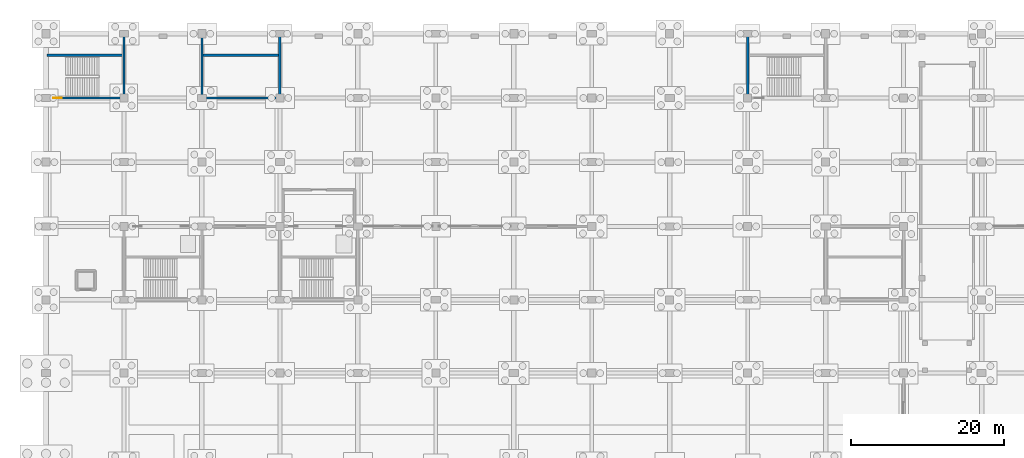
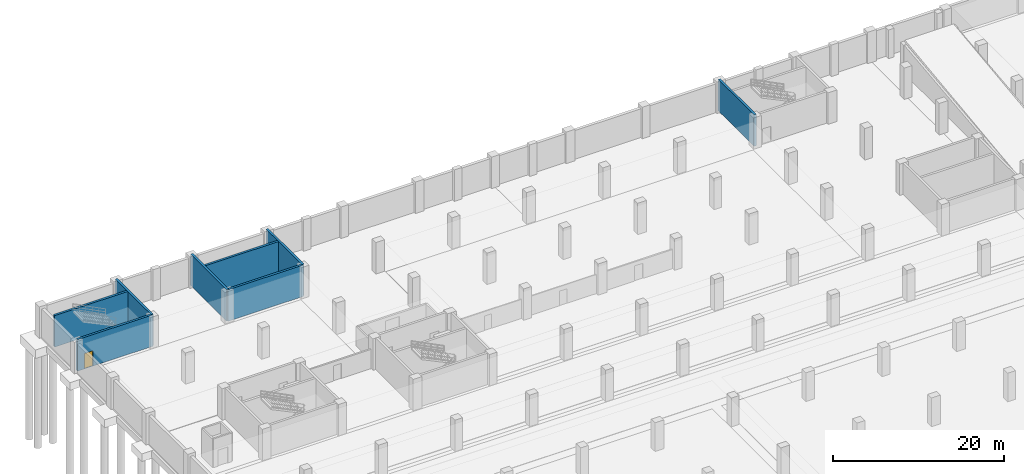
# One storey, part 41 of 52: 8 walls, 1 door, 1 opening.
"""IFC4 building model written with IfcOpenShell, lengths in metres."""

import ifcopenshell
import ifcopenshell.guid

model = None  # the IFC model being written
_history = None  # IfcOwnerHistory: only IFC2X3 demands one
_inside = {}  # id of a spatial element -> (the spatial element, [elements in it])
_under = {}  # id of a project, library or spatial element -> (it, [spatial elements below it])
_declared = {}  # id of a project -> (the project, [libraries it declares])
_typed = {}  # id of a type object -> (the type object, [elements of that type])
_made_of = {}  # id of a material, layer set ... -> (it, [elements and type objects made of it])


def new_model(schema):
    """Start an empty IFC model of exactly this schema.

    Asked for "IFC4X3", IfcOpenShell would pick the latest addendum, in which some entities
    have other attributes; the version numbers below select the first issue.
    IFC2X3 requires an IfcOwnerHistory on every rooted entity: one is made here for all.
    """
    global model, _history
    if schema == "IFC4X3":
        model = ifcopenshell.file(schema_version=(4, 3, 0, 0))
    else:
        model = ifcopenshell.file(schema=schema)
    _inside.clear()
    _under.clear()
    _declared.clear()
    _typed.clear()
    _made_of.clear()
    _history = None
    if model.schema == "IFC2X3":
        org = make("IfcOrganization", Name="unknown")
        user = make(
            "IfcPersonAndOrganization",
            ThePerson=make("IfcPerson", FamilyName="unknown"),
            TheOrganization=org,
        )
        app = make(
            "IfcApplication",
            ApplicationDeveloper=org,
            Version="unknown",
            ApplicationFullName="unknown",
            ApplicationIdentifier="unknown",
        )
        _history = make(
            "IfcOwnerHistory",
            OwningUser=user,
            OwningApplication=app,
            ChangeAction="ADDED",
            CreationDate=0,
        )
    return model


def make(cls, **values):
    """One entity of the class cls with the attributes given. An attribute that is None is left unset."""
    return model.create_entity(
        cls, **{name: value for name, value in values.items() if value is not None}
    )


def rooted(cls, **values):
    """An entity with a GlobalId (a new one), such as an element, a storey or a relation."""
    return make(cls, GlobalId=ifcopenshell.guid.new(), OwnerHistory=_history, **values)


def si_unit(unit_type, name, prefix=None):
    """IfcSIUnit, for example si_unit("LENGTHUNIT", "METRE", prefix="MILLI")."""
    return make("IfcSIUnit", UnitType=unit_type, Prefix=prefix, Name=name)


def assignment(units):
    """IfcUnitAssignment: the units of a project."""
    return None if units is None else make("IfcUnitAssignment", Units=units)


def point(xyz):
    """IfcCartesianPoint."""
    return None if xyz is None else make("IfcCartesianPoint", Coordinates=xyz)


def direction(xyz):
    """IfcDirection."""
    return None if xyz is None else make("IfcDirection", DirectionRatios=xyz)


def frame(location, z_axis=None, x_axis=None):
    """IfcAxis2Placement3D, a coordinate frame: its origin and axes. An axis left out is left unset."""
    return make(
        "IfcAxis2Placement3D",
        Location=point(location),
        Axis=direction(z_axis),
        RefDirection=direction(x_axis),
    )


def frame_2d(location, x_axis=None):
    """IfcAxis2Placement2D, a coordinate frame in the plane: its origin and x axis."""
    return make(
        "IfcAxis2Placement2D", Location=point(location), RefDirection=direction(x_axis)
    )


def origin():
    """The frame at (0, 0, 0) with its axes left unset."""
    return frame((0.0, 0.0, 0.0))


def place(relative_to, where):
    """IfcLocalPlacement: puts the frame where relative to a parent placement (None: the world)."""
    return make(
        "IfcLocalPlacement", PlacementRelTo=relative_to, RelativePlacement=where
    )


def context(
    kind, dimensions, precision=None, world=None, true_north=None, identifier=None
):
    """IfcGeometricRepresentationContext, for example the 3D "Model" context."""
    return make(
        "IfcGeometricRepresentationContext",
        ContextIdentifier=identifier,
        ContextType=kind,
        CoordinateSpaceDimension=dimensions,
        Precision=precision,
        WorldCoordinateSystem=world,
        TrueNorth=true_north,
    )


def subcontext(parent, identifier, kind, view, scale=None):
    """IfcGeometricRepresentationSubContext, for example "Body" below "Model"."""
    return make(
        "IfcGeometricRepresentationSubContext",
        ContextIdentifier=identifier,
        ContextType=kind,
        ParentContext=parent,
        TargetScale=scale,
        TargetView=view,
    )


def project(units=None, contexts=None):
    """IfcProject with its units and contexts."""
    return rooted(
        "IfcProject",
        Name="project",
        RepresentationContexts=contexts,
        UnitsInContext=assignment(units),
    )


def spatial(cls, under=None, at=None, **own):
    """A site, building, storey or space (cls), placed at a placement, below another one or the project."""
    s = rooted(cls, ObjectPlacement=at, **own)
    if under is not None:
        _under.setdefault(under.id(), (under, []))[1].append(s)
    return s


def profile(cls, at=None, kind="AREA", **sizes):
    """A parametric profile (cls). Its sizes go by their IFC names, for example OverallWidth=200.0."""
    return make(cls, ProfileType=kind, Position=at, **sizes)


def rectangle(**sizes):
    """IfcRectangleProfileDef."""
    return profile("IfcRectangleProfileDef", **sizes)


def extrude(swept, where, along, depth):
    """IfcExtrudedAreaSolid: the profile swept, set in the frame where, extruded along a direction by depth."""
    return make(
        "IfcExtrudedAreaSolid",
        SweptArea=swept,
        Position=where,
        ExtrudedDirection=direction(along),
        Depth=depth,
    )


def shape(context_of_items, identifier, shape_type, items):
    """IfcShapeRepresentation: the items that make up one representation, for example the "Body"."""
    return make(
        "IfcShapeRepresentation",
        ContextOfItems=context_of_items,
        RepresentationIdentifier=identifier,
        RepresentationType=shape_type,
        Items=items,
    )


def material(Name=None, Category=None):
    """IfcMaterial."""
    return make("IfcMaterial", Name=Name, Category=Category)


def layer(
    of_material, thickness, ventilated=None, Name=None, Category=None, Priority=None
):
    """IfcMaterialLayer: one layer of a wall or slab, of a material (None: an air gap)."""
    return make(
        "IfcMaterialLayer",
        Material=of_material,
        LayerThickness=thickness,
        IsVentilated=ventilated,
        Name=Name,
        Category=Category,
        Priority=Priority,
    )


def layer_set(layers, Name=None):
    """IfcMaterialLayerSet."""
    return make("IfcMaterialLayerSet", MaterialLayers=layers, LayerSetName=Name)


def made_of(thing, what):
    """Note that an element or type object is made of a material, layer set ...; save() writes the relation."""
    if what is not None:
        _made_of.setdefault(what.id(), (what, []))[1].append(thing)
    return thing


def type_object(cls, material=None, **own):
    """A type object (cls), such as IfcWallType, which elements share."""
    return made_of(rooted(cls, **own), material)


def element(
    cls,
    number,
    at=None,
    inside=None,
    cuts=None,
    type_object=None,
    material=None,
    context=None,
    identifier="Body",
    shape_type=None,
    held_by="IfcProductDefinitionShape",
    body=None,
    shapes=None,
    **own,
):
    """One element of the class cls, such as IfcWall. Its Tag is "e" and its number.

    at: its placement. inside: the storey or other place that contains it. cuts: it is an
    opening in that element (IfcRelVoidsElement). A single representation is given by context,
    identifier, shape_type and body (its items); several are given by shapes. held_by: the class
    of the entity that holds the representations. save() writes the other relations.
    """
    e = rooted(cls, Tag="e%d" % number, ObjectPlacement=at, **own)
    if body is not None:
        shapes = [shape(context, identifier, shape_type, body)]
    if shapes is not None:
        e.Representation = make(held_by, Representations=shapes)
    if inside is not None:
        _inside.setdefault(inside.id(), (inside, []))[1].append(e)
    if cuts is not None:
        rooted(
            "IfcRelVoidsElement", RelatingBuildingElement=cuts, RelatedOpeningElement=e
        )
    if type_object is not None:
        _typed.setdefault(type_object.id(), (type_object, []))[1].append(e)
    return made_of(e, material)


def fill(opening, filler):
    """IfcRelFillsElement: the door or window that sits in an opening."""
    return rooted(
        "IfcRelFillsElement",
        RelatingOpeningElement=opening,
        RelatedBuildingElement=filler,
    )


def aggregate(whole, parts):
    """IfcRelAggregates: a whole, such as a stair, and the parts it consists of."""
    return rooted("IfcRelAggregates", RelatingObject=whole, RelatedObjects=parts)


def save(model, path):
    """Write the relations noted so far, then the file.

    IfcRelAggregates (storeys below a building ...), IfcRelContainedInSpatialStructure (elements
    in a storey), IfcRelDefinesByType, IfcRelAssociatesMaterial and IfcRelDeclares: one each for
    every whole, place, type object, material and project.
    """
    for whole, parts in _under.values():
        aggregate(whole, parts)
    for where, things in _inside.values():
        rooted(
            "IfcRelContainedInSpatialStructure",
            RelatedElements=things,
            RelatingStructure=where,
        )
    for kind, things in _typed.values():
        rooted("IfcRelDefinesByType", RelatedObjects=things, RelatingType=kind)
    for what, things in _made_of.values():
        rooted("IfcRelAssociatesMaterial", RelatedObjects=things, RelatingMaterial=what)
    for by, libraries in _declared.values():
        rooted("IfcRelDeclares", RelatingContext=by, RelatedDefinitions=libraries)
    model.write(path)


model = new_model("IFC4")

# Units and contexts
model_context = context("Model", 3, precision=1e-05, world=origin(), true_north=direction((0.0, 1.0)))
body_context = subcontext(model_context, "Body", "Model", "MODEL_VIEW")
ifc_project = project(units=[si_unit("LENGTHUNIT", "METRE"), si_unit("AREAUNIT", "SQUARE_METRE"), si_unit("VOLUMEUNIT", "CUBIC_METRE"), si_unit("PLANEANGLEUNIT", "RADIAN"), si_unit("MASSUNIT", "GRAM", prefix="KILO")], contexts=[model_context])

# Site, building, storey
site_placement = place(None, origin())
site = spatial("IfcSite", under=ifc_project, at=site_placement, CompositionType="ELEMENT")
building_placement = place(site_placement, origin())
building = spatial("IfcBuilding", under=site, at=building_placement, Name="Brelvane Convention Centre", CompositionType="ELEMENT")
storey_placement = place(building_placement, frame((0.0, 0.0, -4.5)))
storey = spatial("IfcBuildingStorey", under=building, at=storey_placement, Name="B1", CompositionType="ELEMENT", Elevation=-4.5)

# Walls
ifc_material_1 = material(Name="Concrete M50", Category="concrete")
ifc_layer = layer(ifc_material_1, 0.300048828125)
ifc_layer_set = layer_set([ifc_layer], Name="Concrete M50")
wall_type = type_object("IfcWallType", Name="Structural Wall WL-CORE-300", PredefinedType="SHEAR", material=ifc_layer_set)
wall_1_placement = place(storey_placement, frame((91.800048828125, 135.60009765625, 0.0), z_axis=(0.0, 0.0, 1.0), x_axis=(0.0, 1.0, 0.0)))
element("IfcWall", 1, at=wall_1_placement, inside=storey, type_object=wall_type, Name="Stair Core ST-12 Wall W (B1)", PredefinedType="SHEAR", context=body_context, shape_type="SweptSolid", body=[
    extrude(rectangle(XDim=8.39990234375, YDim=0.300048828125, at=frame_2d((4.199951171875, 0.0))), origin(), (0.0, 0.0, 1.0), 4.5),
])
wall_2_placement = place(storey_placement, frame((20.39990234375, 135.60009765625, 0.0), z_axis=(0.0, 0.0, 1.0), x_axis=(1.0, 0.0, 0.0)))
element("IfcWall", 2, at=wall_2_placement, inside=storey, type_object=wall_type, Name="Stair Core ST-13 Wall S (B1)", PredefinedType="SHEAR", context=body_context, shape_type="SweptSolid", body=[
    extrude(rectangle(XDim=10.2001953125, YDim=0.300048828125, at=frame_2d((5.10009765625, 0.0))), origin(), (0.0, 0.0, 1.0), 4.5),
])
for number, where, z_axis, x_axis, name in (
    (3, (20.39990234375, 135.60009765625, 0.0), (0.0, 0.0, 1.0), (0.0, 1.0, 0.0), "Stair Core ST-13 Wall W (B1)"),
    (4, (30.60009765625, 135.60009765625, 0.0), (0.0, 0.0, 1.0), (0.0, 1.0, 0.0), "Stair Core ST-13 Wall E (B1)"),
):
    element("IfcWall", number, at=place(storey_placement, frame(where, z_axis=z_axis, x_axis=x_axis)), inside=storey, type_object=wall_type, Name=name, PredefinedType="SHEAR", context=body_context, shape_type="SweptSolid", body=[
        extrude(rectangle(XDim=8.39990234375, YDim=0.300048828125, at=frame_2d((4.199951171875, 0.0))), origin(), (0.0, 0.0, 1.0), 4.5),
    ])
wall_3_placement = place(storey_placement, frame((20.550048828125, 141.199951171875, 0.0), z_axis=(0.0, 0.0, 1.0), x_axis=(1.0, 0.0, 0.0)))
element("IfcWall", 5, at=wall_3_placement, inside=storey, type_object=wall_type, Name="Stair Core ST-13 Well Wall (B1)", PredefinedType="SHEAR", context=body_context, shape_type="SweptSolid", body=[
    extrude(rectangle(XDim=9.89990234375, YDim=0.300048828125, at=frame_2d((4.949951171875, 0.0))), origin(), (0.0, 0.0, 1.0), 4.5),
])

# Wall, opening, door
wall_4_placement = place(storey_placement, frame((0.0, 135.60009765625, 0.0), z_axis=(0.0, 0.0, 1.0), x_axis=(1.0, 0.0, 0.0)))
wall_4 = element("IfcWall", 6, at=wall_4_placement, inside=storey, type_object=wall_type, Name="Stair Core ST-17 Wall S (B1)", PredefinedType="SHEAR", context=body_context, shape_type="SweptSolid", body=[
    extrude(rectangle(XDim=10.199951171875, YDim=0.300048828125, at=frame_2d((5.10009765625, 0.0))), origin(), (0.0, 0.0, 1.0), 4.5),
])
opening_placement = place(wall_4_placement, frame((0.919921875, 0.0, 0.0)))
opening = element("IfcOpeningElement", 7, at=opening_placement, cuts=wall_4, Name="Opening DR-IN-04L", PredefinedType="OPENING", context=body_context, shape_type="SweptSolid", body=[
    extrude(rectangle(XDim=1.159912109375, YDim=2.199951171875, at=frame_2d((0.580078125, 1.10009765625))), frame((0.0, 0.159912109375, 0.0), z_axis=(0.0, -1.0, 0.0), x_axis=(1.0, 0.0, 0.0)), (0.0, 0.0, 1.0), 0.320068359375),
])
ifc_material_2 = material(Name="Galvanised Hollow-Metal Fire Door Steel E250", Category="steel")
door_type = type_object("IfcDoorType", Name="Interior Door DR-IN-04L", OperationType="NOTDEFINED", PredefinedType="DOOR", material=ifc_material_2)
door_placement = place(opening_placement, origin())
door = element("IfcDoor", 8, at=door_placement, inside=storey, type_object=door_type, Name="Stair ST-17 Entry Door (B1)", OperationType="SINGLE_SWING_LEFT", OverallHeight=2.199951171875, OverallWidth=1.159912109375, PredefinedType="DOOR", context=body_context, shape_type="SweptSolid", body=[
    extrude(rectangle(XDim=1.159912109375, YDim=2.199951171875, at=frame_2d((0.580078125, 1.10009765625))), frame((0.0, 0.02490234375, 0.0), z_axis=(0.0, -1.0, 0.0), x_axis=(1.0, 0.0, 0.0)), (0.0, 0.0, 1.0), 0.050048828125),
])
fill(opening, door)

# Walls
wall_5_placement = place(storey_placement, frame((10.199951171875, 135.60009765625, 0.0), z_axis=(0.0, 0.0, 1.0), x_axis=(0.0, 1.0, 0.0)))
element("IfcWall", 9, at=wall_5_placement, inside=storey, type_object=wall_type, Name="Stair Core ST-17 Wall E (B1)", PredefinedType="SHEAR", context=body_context, shape_type="SweptSolid", body=[
    extrude(rectangle(XDim=8.39990234375, YDim=0.300048828125, at=frame_2d((4.199951171875, 0.0))), origin(), (0.0, 0.0, 1.0), 4.5),
])
wall_6_placement = place(storey_placement, frame((0.14990234375, 141.199951171875, 0.0), z_axis=(0.0, 0.0, 1.0), x_axis=(1.0, 0.0, 0.0)))
element("IfcWall", 10, at=wall_6_placement, inside=storey, type_object=wall_type, Name="Stair Core ST-17 Well Wall (B1)", PredefinedType="SHEAR", context=body_context, shape_type="SweptSolid", body=[
    extrude(rectangle(XDim=9.900146484375, YDim=0.300048828125, at=frame_2d((4.9501953125, 0.0))), origin(), (0.0, 0.0, 1.0), 4.5),
])

save(model, "model.ifc")
